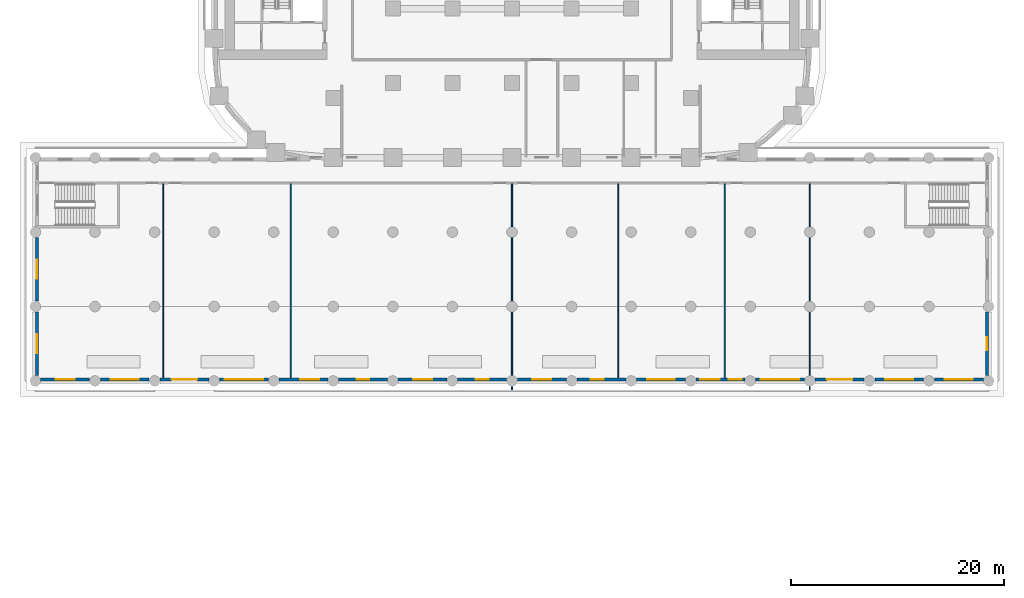
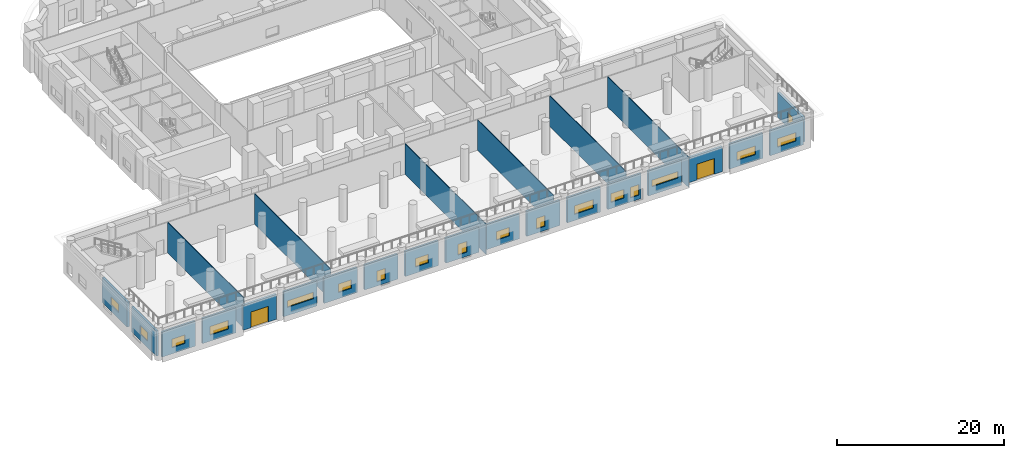
# One storey, part 6 of 23: 25 walls, 18 windows, 2 doors, 20 openings.
"""IFC4 building model written with IfcOpenShell, lengths in metres."""

from ifc_helpers import new_model, si_unit, direction, frame, frame_2d, origin, place, context, subcontext, project, spatial, rectangle, extrude, material, layer, layer_set, type_object, element, fill, save


model = new_model("IFC4")

# Units and contexts
model_context = context("Model", 3, precision=1e-05, world=origin(), true_north=direction((0.0, 1.0)))
body_context = subcontext(model_context, "Body", "Model", "MODEL_VIEW")
ifc_project = project(units=[si_unit("LENGTHUNIT", "METRE"), si_unit("AREAUNIT", "SQUARE_METRE"), si_unit("VOLUMEUNIT", "CUBIC_METRE"), si_unit("PLANEANGLEUNIT", "RADIAN"), si_unit("MASSUNIT", "GRAM", prefix="KILO")], contexts=[model_context])

# Site, building, storey
site_placement = place(None, origin())
site = spatial("IfcSite", under=ifc_project, at=site_placement, CompositionType="ELEMENT")
building_placement = place(site_placement, origin())
building = spatial("IfcBuilding", under=site, at=building_placement, Name="Kiln Ring Residences", CompositionType="ELEMENT")
storey_placement = place(building_placement, frame((0.0, 0.0, 16.10009765625)))
storey = spatial("IfcBuildingStorey", under=building, at=storey_placement, Name="L03", CompositionType="ELEMENT", Elevation=16.10009765625)

# Wall, opening, window
ifc_material_1 = material(Name="Brick masonry, dark clay brick", Category="masonry")
ifc_layer_1 = layer(ifc_material_1, 0.300048828125)
ifc_layer_set_1 = layer_set([ifc_layer_1], Name="EW-300 BRICK WALL")
wall_type_1 = type_object("IfcWallType", Name="EW-300 BRICK WALL", PredefinedType="SOLIDWALL", material=ifc_layer_set_1)
wall_1_placement = place(storey_placement, frame((44.64990234375, -42.89990234375, 0.0), z_axis=(0.0, 0.0, 1.0), x_axis=(0.0, 1.0, 0.0)))
wall_1 = element("IfcWall", 1, at=wall_1_placement, inside=storey, type_object=wall_type_1, Name="Facade wall L03 1", PredefinedType="SOLIDWALL", context=body_context, shape_type="SweptSolid", body=[
    extrude(rectangle(XDim=6.0, YDim=0.300048828125, at=frame_2d((3.0, 0.0))), origin(), (0.0, 0.0, 1.0), 3.64990234375),
])
opening_1_placement = place(wall_1_placement, frame((2.39990234375, 0.0, 0.60009765625)))
opening_1 = element("IfcOpeningElement", 2, at=opening_1_placement, cuts=wall_1, Name="Opening W1", PredefinedType="OPENING", context=body_context, shape_type="SweptSolid", body=[
    extrude(rectangle(XDim=1.199951171875, YDim=1.550048828125, at=frame_2d((0.60009765625, 0.77490234375))), frame((0.0, 0.159912109375, 0.0), z_axis=(0.0, -1.0, 0.0), x_axis=(1.0, 0.0, 0.0)), (0.0, 0.0, 1.0), 0.320068359375),
])
ifc_material_2 = material(Name="Aluminium frame with double glazing", Category="aluminium")
window_type_1 = type_object("IfcWindowType", Name="WINDOW 1200 x 1550", PartitioningType="SINGLE_PANEL", PredefinedType="WINDOW", material=ifc_material_2)
window_1_placement = place(opening_1_placement, origin())
window_1 = element("IfcWindow", 3, at=window_1_placement, inside=storey, type_object=window_type_1, Name="Window L03 1", OverallHeight=1.550048828125, OverallWidth=1.199951171875, PartitioningType="SINGLE_PANEL", PredefinedType="WINDOW", context=body_context, shape_type="SweptSolid", body=[
    extrude(rectangle(XDim=1.199951171875, YDim=1.550048828125, at=frame_2d((0.60009765625, 0.77490234375))), frame((0.0, 0.030029296875, 0.0), z_axis=(0.0, -1.0, 0.0), x_axis=(1.0, 0.0, 0.0)), (0.0, 0.0, 1.0), 0.06005859375),
])
fill(opening_1, window_1)

wall_2_placement = place(storey_placement, frame((-44.64990234375, -29.89990234375, 0.0), z_axis=(0.0, 0.0, 1.0), x_axis=(0.0, -1.0, 0.0)))
wall_2 = element("IfcWall", 4, at=wall_2_placement, inside=storey, type_object=wall_type_1, Name="Facade wall L03 55", PredefinedType="SOLIDWALL", context=body_context, shape_type="SweptSolid", body=[
    extrude(rectangle(XDim=6.0, YDim=0.300048828125, at=frame_2d((3.0, 0.0))), origin(), (0.0, 0.0, 1.0), 3.64990234375),
])
opening_2_placement = place(wall_2_placement, frame((2.10009765625, 0.0, 0.89990234375)))
opening_2 = element("IfcOpeningElement", 5, at=opening_2_placement, cuts=wall_2, Name="Opening W2", PredefinedType="OPENING", context=body_context, shape_type="SweptSolid", body=[
    extrude(rectangle(XDim=1.800048828125, YDim=1.25, at=frame_2d((0.89990234375, 0.625))), frame((0.0, 0.159912109375, 0.0), z_axis=(0.0, -1.0, 0.0), x_axis=(1.0, 0.0, 0.0)), (0.0, 0.0, 1.0), 0.320068359375),
])
ifc_material_3 = material(Name="Aluminium frame with double glazing", Category="aluminium")
window_type_2 = type_object("IfcWindowType", Name="WINDOW 1800 x 1250", PartitioningType="SINGLE_PANEL", PredefinedType="WINDOW", material=ifc_material_3)
window_2_placement = place(opening_2_placement, origin())
window_2 = element("IfcWindow", 6, at=window_2_placement, inside=storey, type_object=window_type_2, Name="Window L03 28", OverallHeight=1.25, OverallWidth=1.800048828125, PartitioningType="SINGLE_PANEL", PredefinedType="WINDOW", context=body_context, shape_type="SweptSolid", body=[
    extrude(rectangle(XDim=1.800048828125, YDim=1.25, at=frame_2d((0.89990234375, 0.625))), frame((0.0, 0.030029296875, 0.0), z_axis=(0.0, -1.0, 0.0), x_axis=(1.0, 0.0, 0.0)), (0.0, 0.0, 1.0), 0.06005859375),
])
fill(opening_2, window_2)

wall_3_placement = place(storey_placement, frame((-44.64990234375, -36.89990234375, 0.0), z_axis=(0.0, 0.0, 1.0), x_axis=(0.0, -1.0, 0.0)))
wall_3 = element("IfcWall", 7, at=wall_3_placement, inside=storey, type_object=wall_type_1, Name="Facade wall L03 56", PredefinedType="SOLIDWALL", context=body_context, shape_type="SweptSolid", body=[
    extrude(rectangle(XDim=6.0, YDim=0.300048828125, at=frame_2d((3.0, 0.0))), origin(), (0.0, 0.0, 1.0), 3.64990234375),
])
opening_3_placement = place(wall_3_placement, frame((2.10009765625, 0.0, 0.89990234375)))
opening_3 = element("IfcOpeningElement", 8, at=opening_3_placement, cuts=wall_3, Name="Opening W2", PredefinedType="OPENING", context=body_context, shape_type="SweptSolid", body=[
    extrude(rectangle(XDim=1.800048828125, YDim=1.25, at=frame_2d((0.89990234375, 0.625))), frame((0.0, 0.159912109375, 0.0), z_axis=(0.0, -1.0, 0.0), x_axis=(1.0, 0.0, 0.0)), (0.0, 0.0, 1.0), 0.320068359375),
])
window_3_placement = place(opening_3_placement, origin())
window_3 = element("IfcWindow", 9, at=window_3_placement, inside=storey, type_object=window_type_2, Name="Window L03 29", OverallHeight=1.25, OverallWidth=1.800048828125, PartitioningType="SINGLE_PANEL", PredefinedType="WINDOW", context=body_context, shape_type="SweptSolid", body=[
    extrude(rectangle(XDim=1.800048828125, YDim=1.25, at=frame_2d((0.89990234375, 0.625))), frame((0.0, 0.030029296875, 0.0), z_axis=(0.0, -1.0, 0.0), x_axis=(1.0, 0.0, 0.0)), (0.0, 0.0, 1.0), 0.06005859375),
])
fill(opening_3, window_3)

wall_4_placement = place(storey_placement, frame((-44.300048828125, -43.25, 0.0), z_axis=(0.0, 0.0, 1.0), x_axis=(1.0, 0.0, 0.0)))
wall_4 = element("IfcWall", 10, at=wall_4_placement, inside=storey, type_object=wall_type_1, Name="Facade wall L03 57", PredefinedType="SOLIDWALL", context=body_context, shape_type="SweptSolid", body=[
    extrude(rectangle(XDim=4.60009765625, YDim=0.300048828125, at=frame_2d((2.300048828125, 0.0))), origin(), (0.0, 0.0, 1.0), 3.64990234375),
])
opening_4_placement = place(wall_4_placement, frame((1.39990234375, 0.0, 0.89990234375)))
opening_4 = element("IfcOpeningElement", 11, at=opening_4_placement, cuts=wall_4, Name="Opening W2", PredefinedType="OPENING", context=body_context, shape_type="SweptSolid", body=[
    extrude(rectangle(XDim=1.800048828125, YDim=1.25, at=frame_2d((0.89990234375, 0.625))), frame((0.0, 0.159912109375, 0.0), z_axis=(0.0, -1.0, 0.0), x_axis=(1.0, 0.0, 0.0)), (0.0, 0.0, 1.0), 0.320068359375),
])
window_4_placement = place(opening_4_placement, origin())
window_4 = element("IfcWindow", 12, at=window_4_placement, inside=storey, type_object=window_type_2, Name="Window L03 30", OverallHeight=1.25, OverallWidth=1.800048828125, PartitioningType="SINGLE_PANEL", PredefinedType="WINDOW", context=body_context, shape_type="SweptSolid", body=[
    extrude(rectangle(XDim=1.800048828125, YDim=1.25, at=frame_2d((0.89990234375, 0.625))), frame((0.0, 0.030029296875, 0.0), z_axis=(0.0, -1.0, 0.0), x_axis=(1.0, 0.0, 0.0)), (0.0, 0.0, 1.0), 0.06005859375),
])
fill(opening_4, window_4)

wall_5_placement = place(storey_placement, frame((-38.699951171875, -43.25, 0.0), z_axis=(0.0, 0.0, 1.0), x_axis=(1.0, 0.0, 0.0)))
wall_5 = element("IfcWall", 13, at=wall_5_placement, inside=storey, type_object=wall_type_1, Name="Facade wall L03 58", PredefinedType="SOLIDWALL", context=body_context, shape_type="SweptSolid", body=[
    extrude(rectangle(XDim=4.599853515625, YDim=0.300048828125, at=frame_2d((2.2998046875, 0.0))), origin(), (0.0, 0.0, 1.0), 3.64990234375),
])
opening_5_placement = place(wall_5_placement, frame((1.0, 0.0, 0.89990234375)))
opening_5 = element("IfcOpeningElement", 14, at=opening_5_placement, cuts=wall_5, Name="Opening W3", PredefinedType="OPENING", context=body_context, shape_type="SweptSolid", body=[
    extrude(rectangle(XDim=2.60009765625, YDim=1.25, at=frame_2d((1.300048828125, 0.625))), frame((0.0, 0.159912109375, 0.0), z_axis=(0.0, -1.0, 0.0), x_axis=(1.0, 0.0, 0.0)), (0.0, 0.0, 1.0), 0.320068359375),
])
ifc_material_4 = material(Name="Aluminium frame with double glazing", Category="aluminium")
window_type_3 = type_object("IfcWindowType", Name="WINDOW 2600 x 1250", PartitioningType="SINGLE_PANEL", PredefinedType="WINDOW", material=ifc_material_4)
window_5_placement = place(opening_5_placement, origin())
window_5 = element("IfcWindow", 15, at=window_5_placement, inside=storey, type_object=window_type_3, Name="Window L03 31", OverallHeight=1.25, OverallWidth=2.60009765625, PartitioningType="SINGLE_PANEL", PredefinedType="WINDOW", context=body_context, shape_type="SweptSolid", body=[
    extrude(rectangle(XDim=2.60009765625, YDim=1.25, at=frame_2d((1.300048828125, 0.625))), frame((0.0, 0.030029296875, 0.0), z_axis=(0.0, -1.0, 0.0), x_axis=(1.0, 0.0, 0.0)), (0.0, 0.0, 1.0), 0.06005859375),
])
fill(opening_5, window_5)

# Wall, opening, door
wall_6_placement = place(storey_placement, frame((-33.10009765625, -43.25, 0.0), z_axis=(0.0, 0.0, 1.0), x_axis=(1.0, 0.0, 0.0)))
wall_6 = element("IfcWall", 16, at=wall_6_placement, inside=storey, type_object=wall_type_1, Name="Facade wall L03 59", PredefinedType="SOLIDWALL", context=body_context, shape_type="SweptSolid", body=[
    extrude(rectangle(XDim=4.60009765625, YDim=0.300048828125, at=frame_2d((2.300048828125, 0.0))), origin(), (0.0, 0.0, 1.0), 3.64990234375),
])
opening_6_placement = place(wall_6_placement, frame((1.10009765625, 0.0, 0.0)))
opening_6 = element("IfcOpeningElement", 17, at=opening_6_placement, cuts=wall_6, Name="Opening EL03-1", PredefinedType="OPENING", context=body_context, shape_type="SweptSolid", body=[
    extrude(rectangle(XDim=2.39990234375, YDim=2.300048828125, at=frame_2d((1.199951171875, 1.14990234375))), frame((0.0, 0.159912109375, 0.0), z_axis=(0.0, -1.0, 0.0), x_axis=(1.0, 0.0, 0.0)), (0.0, 0.0, 1.0), 0.320068359375),
])
ifc_material_5 = material(Name="Aluminium and glass", Category="aluminium")
door_type = type_object("IfcDoorType", Name="TERRACE DOOR 2400 x 2300", OperationType="DOUBLE_DOOR_SINGLE_SWING", PredefinedType="DOOR", material=ifc_material_5)
door_1_placement = place(opening_6_placement, origin())
door_1 = element("IfcDoor", 18, at=door_1_placement, inside=storey, type_object=door_type, Name="Terrace door EL03-1", OperationType="SINGLE_SWING_LEFT", OverallHeight=2.300048828125, OverallWidth=2.39990234375, PredefinedType="DOOR", context=body_context, shape_type="SweptSolid", body=[
    extrude(rectangle(XDim=2.39990234375, YDim=2.300048828125, at=frame_2d((1.199951171875, 1.14990234375))), frame((0.0, 0.02490234375, 0.0), z_axis=(0.0, -1.0, 0.0), x_axis=(1.0, 0.0, 0.0)), (0.0, 0.0, 1.0), 0.050048828125),
])
fill(opening_6, door_1)

# Wall, opening, window
wall_7_placement = place(storey_placement, frame((-27.5, -43.25, 0.0), z_axis=(0.0, 0.0, 1.0), x_axis=(1.0, 0.0, 0.0)))
wall_7 = element("IfcWall", 19, at=wall_7_placement, inside=storey, type_object=wall_type_1, Name="Facade wall L03 60", PredefinedType="SOLIDWALL", context=body_context, shape_type="SweptSolid", body=[
    extrude(rectangle(XDim=4.60009765625, YDim=0.300048828125, at=frame_2d((2.300048828125, 0.0))), origin(), (0.0, 0.0, 1.0), 3.64990234375),
])
opening_7_placement = place(wall_7_placement, frame((0.5, 0.0, 1.199951171875)))
opening_7 = element("IfcOpeningElement", 20, at=opening_7_placement, cuts=wall_7, Name="Opening W4", PredefinedType="OPENING", context=body_context, shape_type="SweptSolid", body=[
    extrude(rectangle(XDim=3.60009765625, YDim=0.949951171875, at=frame_2d((1.800048828125, 0.47509765625))), frame((0.0, 0.159912109375, 0.0), z_axis=(0.0, -1.0, 0.0), x_axis=(1.0, 0.0, 0.0)), (0.0, 0.0, 1.0), 0.320068359375),
])
ifc_material_6 = material(Name="Aluminium frame with double glazing", Category="aluminium")
window_type_4 = type_object("IfcWindowType", Name="WINDOW 3600 x 950", PartitioningType="SINGLE_PANEL", PredefinedType="WINDOW", material=ifc_material_6)
window_6_placement = place(opening_7_placement, origin())
window_6 = element("IfcWindow", 21, at=window_6_placement, inside=storey, type_object=window_type_4, Name="Window L03 32", OverallHeight=0.949951171875, OverallWidth=3.60009765625, PartitioningType="SINGLE_PANEL", PredefinedType="WINDOW", context=body_context, shape_type="SweptSolid", body=[
    extrude(rectangle(XDim=3.60009765625, YDim=0.949951171875, at=frame_2d((1.800048828125, 0.47509765625))), frame((0.0, 0.030029296875, 0.0), z_axis=(0.0, -1.0, 0.0), x_axis=(1.0, 0.0, 0.0)), (0.0, 0.0, 1.0), 0.06005859375),
])
fill(opening_7, window_6)

wall_8_placement = place(storey_placement, frame((-21.89990234375, -43.25, 0.0), z_axis=(0.0, 0.0, 1.0), x_axis=(1.0, 0.0, 0.0)))
wall_8 = element("IfcWall", 22, at=wall_8_placement, inside=storey, type_object=wall_type_1, Name="Facade wall L03 61", PredefinedType="SOLIDWALL", context=body_context, shape_type="SweptSolid", body=[
    extrude(rectangle(XDim=4.599853515625, YDim=0.300048828125, at=frame_2d((2.2998046875, 0.0))), origin(), (0.0, 0.0, 1.0), 3.64990234375),
])
opening_8_placement = place(wall_8_placement, frame((1.987548828125, 0.0, 0.89990234375)))
opening_8 = element("IfcOpeningElement", 23, at=opening_8_placement, cuts=wall_8, Name="Opening W2", PredefinedType="OPENING", context=body_context, shape_type="SweptSolid", body=[
    extrude(rectangle(XDim=1.800048828125, YDim=1.25, at=frame_2d((0.89990234375, 0.625))), frame((0.0, 0.159912109375, 0.0), z_axis=(0.0, -1.0, 0.0), x_axis=(1.0, 0.0, 0.0)), (0.0, 0.0, 1.0), 0.320068359375),
])
window_7_placement = place(opening_8_placement, origin())
window_7 = element("IfcWindow", 24, at=window_7_placement, inside=storey, type_object=window_type_2, Name="Window L03 33", OverallHeight=1.25, OverallWidth=1.800048828125, PartitioningType="SINGLE_PANEL", PredefinedType="WINDOW", context=body_context, shape_type="SweptSolid", body=[
    extrude(rectangle(XDim=1.800048828125, YDim=1.25, at=frame_2d((0.89990234375, 0.625))), frame((0.0, 0.030029296875, 0.0), z_axis=(0.0, -1.0, 0.0), x_axis=(1.0, 0.0, 0.0)), (0.0, 0.0, 1.0), 0.06005859375),
])
fill(opening_8, window_7)

wall_9_placement = place(storey_placement, frame((-16.300048828125, -43.25, 0.0), z_axis=(0.0, 0.0, 1.0), x_axis=(1.0, 0.0, 0.0)))
wall_9 = element("IfcWall", 25, at=wall_9_placement, inside=storey, type_object=wall_type_1, Name="Facade wall L03 62", PredefinedType="SOLIDWALL", context=body_context, shape_type="SweptSolid", body=[
    extrude(rectangle(XDim=4.60009765625, YDim=0.300048828125, at=frame_2d((2.300048828125, 0.0))), origin(), (0.0, 0.0, 1.0), 3.64990234375),
])
opening_9_placement = place(wall_9_placement, frame((1.699951171875, 0.0, 0.60009765625)))
opening_9 = element("IfcOpeningElement", 26, at=opening_9_placement, cuts=wall_9, Name="Opening W1", PredefinedType="OPENING", context=body_context, shape_type="SweptSolid", body=[
    extrude(rectangle(XDim=1.199951171875, YDim=1.550048828125, at=frame_2d((0.60009765625, 0.77490234375))), frame((0.0, 0.159912109375, 0.0), z_axis=(0.0, -1.0, 0.0), x_axis=(1.0, 0.0, 0.0)), (0.0, 0.0, 1.0), 0.320068359375),
])
window_8_placement = place(opening_9_placement, origin())
window_8 = element("IfcWindow", 27, at=window_8_placement, inside=storey, type_object=window_type_1, Name="Window L03 34", OverallHeight=1.550048828125, OverallWidth=1.199951171875, PartitioningType="SINGLE_PANEL", PredefinedType="WINDOW", context=body_context, shape_type="SweptSolid", body=[
    extrude(rectangle(XDim=1.199951171875, YDim=1.550048828125, at=frame_2d((0.60009765625, 0.77490234375))), frame((0.0, 0.030029296875, 0.0), z_axis=(0.0, -1.0, 0.0), x_axis=(1.0, 0.0, 0.0)), (0.0, 0.0, 1.0), 0.06005859375),
])
fill(opening_9, window_8)

wall_10_placement = place(storey_placement, frame((-10.699951171875, -43.25, 0.0), z_axis=(0.0, 0.0, 1.0), x_axis=(1.0, 0.0, 0.0)))
wall_10 = element("IfcWall", 28, at=wall_10_placement, inside=storey, type_object=wall_type_1, Name="Facade wall L03 63", PredefinedType="SOLIDWALL", context=body_context, shape_type="SweptSolid", body=[
    extrude(rectangle(XDim=4.599853515625, YDim=0.300048828125, at=frame_2d((2.2998046875, 0.0))), origin(), (0.0, 0.0, 1.0), 3.64990234375),
])
opening_10_placement = place(wall_10_placement, frame((1.39990234375, 0.0, 0.89990234375)))
opening_10 = element("IfcOpeningElement", 29, at=opening_10_placement, cuts=wall_10, Name="Opening W2", PredefinedType="OPENING", context=body_context, shape_type="SweptSolid", body=[
    extrude(rectangle(XDim=1.800048828125, YDim=1.25, at=frame_2d((0.89990234375, 0.625))), frame((0.0, 0.159912109375, 0.0), z_axis=(0.0, -1.0, 0.0), x_axis=(1.0, 0.0, 0.0)), (0.0, 0.0, 1.0), 0.320068359375),
])
window_9_placement = place(opening_10_placement, origin())
window_9 = element("IfcWindow", 30, at=window_9_placement, inside=storey, type_object=window_type_2, Name="Window L03 35", OverallHeight=1.25, OverallWidth=1.800048828125, PartitioningType="SINGLE_PANEL", PredefinedType="WINDOW", context=body_context, shape_type="SweptSolid", body=[
    extrude(rectangle(XDim=1.800048828125, YDim=1.25, at=frame_2d((0.89990234375, 0.625))), frame((0.0, 0.030029296875, 0.0), z_axis=(0.0, -1.0, 0.0), x_axis=(1.0, 0.0, 0.0)), (0.0, 0.0, 1.0), 0.06005859375),
])
fill(opening_10, window_9)

wall_11_placement = place(storey_placement, frame((-5.10009765625, -43.25, 0.0), z_axis=(0.0, 0.0, 1.0), x_axis=(1.0, 0.0, 0.0)))
wall_11 = element("IfcWall", 31, at=wall_11_placement, inside=storey, type_object=wall_type_1, Name="Facade wall L03 64", PredefinedType="SOLIDWALL", context=body_context, shape_type="SweptSolid", body=[
    extrude(rectangle(XDim=4.60009765625, YDim=0.300048828125, at=frame_2d((2.300048828125, 0.0))), origin(), (0.0, 0.0, 1.0), 3.64990234375),
])
opening_11_placement = place(wall_11_placement, frame((1.699951171875, 0.0, 0.60009765625)))
opening_11 = element("IfcOpeningElement", 32, at=opening_11_placement, cuts=wall_11, Name="Opening W1", PredefinedType="OPENING", context=body_context, shape_type="SweptSolid", body=[
    extrude(rectangle(XDim=1.199951171875, YDim=1.550048828125, at=frame_2d((0.60009765625, 0.77490234375))), frame((0.0, 0.159912109375, 0.0), z_axis=(0.0, -1.0, 0.0), x_axis=(1.0, 0.0, 0.0)), (0.0, 0.0, 1.0), 0.320068359375),
])
window_10_placement = place(opening_11_placement, origin())
window_10 = element("IfcWindow", 33, at=window_10_placement, inside=storey, type_object=window_type_1, Name="Window L03 36", OverallHeight=1.550048828125, OverallWidth=1.199951171875, PartitioningType="SINGLE_PANEL", PredefinedType="WINDOW", context=body_context, shape_type="SweptSolid", body=[
    extrude(rectangle(XDim=1.199951171875, YDim=1.550048828125, at=frame_2d((0.60009765625, 0.77490234375))), frame((0.0, 0.030029296875, 0.0), z_axis=(0.0, -1.0, 0.0), x_axis=(1.0, 0.0, 0.0)), (0.0, 0.0, 1.0), 0.06005859375),
])
fill(opening_11, window_10)

wall_12_placement = place(storey_placement, frame((0.5, -43.25, 0.0), z_axis=(0.0, 0.0, 1.0), x_axis=(1.0, 0.0, 0.0)))
wall_12 = element("IfcWall", 34, at=wall_12_placement, inside=storey, type_object=wall_type_1, Name="Facade wall L03 65", PredefinedType="SOLIDWALL", context=body_context, shape_type="SweptSolid", body=[
    extrude(rectangle(XDim=4.60009765625, YDim=0.300048828125, at=frame_2d((2.300048828125, 0.0))), origin(), (0.0, 0.0, 1.0), 3.64990234375),
])
opening_12_placement = place(wall_12_placement, frame((1.39990234375, 0.0, 0.89990234375)))
opening_12 = element("IfcOpeningElement", 35, at=opening_12_placement, cuts=wall_12, Name="Opening W2", PredefinedType="OPENING", context=body_context, shape_type="SweptSolid", body=[
    extrude(rectangle(XDim=1.800048828125, YDim=1.25, at=frame_2d((0.89990234375, 0.625))), frame((0.0, 0.159912109375, 0.0), z_axis=(0.0, -1.0, 0.0), x_axis=(1.0, 0.0, 0.0)), (0.0, 0.0, 1.0), 0.320068359375),
])
window_11_placement = place(opening_12_placement, origin())
window_11 = element("IfcWindow", 36, at=window_11_placement, inside=storey, type_object=window_type_2, Name="Window L03 37", OverallHeight=1.25, OverallWidth=1.800048828125, PartitioningType="SINGLE_PANEL", PredefinedType="WINDOW", context=body_context, shape_type="SweptSolid", body=[
    extrude(rectangle(XDim=1.800048828125, YDim=1.25, at=frame_2d((0.89990234375, 0.625))), frame((0.0, 0.030029296875, 0.0), z_axis=(0.0, -1.0, 0.0), x_axis=(1.0, 0.0, 0.0)), (0.0, 0.0, 1.0), 0.06005859375),
])
fill(opening_12, window_11)

wall_13_placement = place(storey_placement, frame((6.10009765625, -43.25, 0.0), z_axis=(0.0, 0.0, 1.0), x_axis=(1.0, 0.0, 0.0)))
wall_13 = element("IfcWall", 37, at=wall_13_placement, inside=storey, type_object=wall_type_1, Name="Facade wall L03 66", PredefinedType="SOLIDWALL", context=body_context, shape_type="SweptSolid", body=[
    extrude(rectangle(XDim=4.599853515625, YDim=0.300048828125, at=frame_2d((2.2998046875, 0.0))), origin(), (0.0, 0.0, 1.0), 3.64990234375),
])
opening_13_placement = place(wall_13_placement, frame((1.3125, 0.0, 0.60009765625)))
opening_13 = element("IfcOpeningElement", 38, at=opening_13_placement, cuts=wall_13, Name="Opening W1", PredefinedType="OPENING", context=body_context, shape_type="SweptSolid", body=[
    extrude(rectangle(XDim=1.199951171875, YDim=1.550048828125, at=frame_2d((0.60009765625, 0.77490234375))), frame((0.0, 0.159912109375, 0.0), z_axis=(0.0, -1.0, 0.0), x_axis=(1.0, 0.0, 0.0)), (0.0, 0.0, 1.0), 0.320068359375),
])
window_12_placement = place(opening_13_placement, origin())
window_12 = element("IfcWindow", 39, at=window_12_placement, inside=storey, type_object=window_type_1, Name="Window L03 38", OverallHeight=1.550048828125, OverallWidth=1.199951171875, PartitioningType="SINGLE_PANEL", PredefinedType="WINDOW", context=body_context, shape_type="SweptSolid", body=[
    extrude(rectangle(XDim=1.199951171875, YDim=1.550048828125, at=frame_2d((0.60009765625, 0.77490234375))), frame((0.0, 0.030029296875, 0.0), z_axis=(0.0, -1.0, 0.0), x_axis=(1.0, 0.0, 0.0)), (0.0, 0.0, 1.0), 0.06005859375),
])
fill(opening_13, window_12)

wall_14_placement = place(storey_placement, frame((11.699951171875, -43.25, 0.0), z_axis=(0.0, 0.0, 1.0), x_axis=(1.0, 0.0, 0.0)))
wall_14 = element("IfcWall", 40, at=wall_14_placement, inside=storey, type_object=wall_type_1, Name="Facade wall L03 67", PredefinedType="SOLIDWALL", context=body_context, shape_type="SweptSolid", body=[
    extrude(rectangle(XDim=4.60009765625, YDim=0.300048828125, at=frame_2d((2.300048828125, 0.0))), origin(), (0.0, 0.0, 1.0), 3.64990234375),
])
opening_14_placement = place(wall_14_placement, frame((1.0, 0.0, 0.89990234375)))
opening_14 = element("IfcOpeningElement", 41, at=opening_14_placement, cuts=wall_14, Name="Opening W3", PredefinedType="OPENING", context=body_context, shape_type="SweptSolid", body=[
    extrude(rectangle(XDim=2.60009765625, YDim=1.25, at=frame_2d((1.300048828125, 0.625))), frame((0.0, 0.159912109375, 0.0), z_axis=(0.0, -1.0, 0.0), x_axis=(1.0, 0.0, 0.0)), (0.0, 0.0, 1.0), 0.320068359375),
])
window_13_placement = place(opening_14_placement, origin())
window_13 = element("IfcWindow", 42, at=window_13_placement, inside=storey, type_object=window_type_3, Name="Window L03 39", OverallHeight=1.25, OverallWidth=2.60009765625, PartitioningType="SINGLE_PANEL", PredefinedType="WINDOW", context=body_context, shape_type="SweptSolid", body=[
    extrude(rectangle(XDim=2.60009765625, YDim=1.25, at=frame_2d((1.300048828125, 0.625))), frame((0.0, 0.030029296875, 0.0), z_axis=(0.0, -1.0, 0.0), x_axis=(1.0, 0.0, 0.0)), (0.0, 0.0, 1.0), 0.06005859375),
])
fill(opening_14, window_13)

# Wall, openings, windows
wall_15_placement = place(storey_placement, frame((17.300048828125, -43.25, 0.0), z_axis=(0.0, 0.0, 1.0), x_axis=(1.0, 0.0, 0.0)))
wall_15 = element("IfcWall", 43, at=wall_15_placement, inside=storey, type_object=wall_type_1, Name="Facade wall L03 68", PredefinedType="SOLIDWALL", context=body_context, shape_type="SweptSolid", body=[
    extrude(rectangle(XDim=4.599853515625, YDim=0.300048828125, at=frame_2d((2.2998046875, 0.0))), origin(), (0.0, 0.0, 1.0), 3.64990234375),
])
opening_15_placement = place(wall_15_placement, frame((0.409912109375, 0.0, 0.89990234375)))
opening_15 = element("IfcOpeningElement", 44, at=opening_15_placement, cuts=wall_15, Name="Opening W2", PredefinedType="OPENING", context=body_context, shape_type="SweptSolid", body=[
    extrude(rectangle(XDim=1.800048828125, YDim=1.25, at=frame_2d((0.89990234375, 0.625))), frame((0.0, 0.159912109375, 0.0), z_axis=(0.0, -1.0, 0.0), x_axis=(1.0, 0.0, 0.0)), (0.0, 0.0, 1.0), 0.320068359375),
])
opening_16_placement = place(wall_15_placement, frame((3.0849609375, 0.0, 0.60009765625)))
opening_16 = element("IfcOpeningElement", 45, at=opening_16_placement, cuts=wall_15, Name="Opening W1", PredefinedType="OPENING", context=body_context, shape_type="SweptSolid", body=[
    extrude(rectangle(XDim=1.199951171875, YDim=1.550048828125, at=frame_2d((0.60009765625, 0.77490234375))), frame((0.0, 0.159912109375, 0.0), z_axis=(0.0, -1.0, 0.0), x_axis=(1.0, 0.0, 0.0)), (0.0, 0.0, 1.0), 0.320068359375),
])
window_14_placement = place(opening_16_placement, origin())
window_14 = element("IfcWindow", 46, at=window_14_placement, inside=storey, type_object=window_type_1, Name="Window L03 41", OverallHeight=1.550048828125, OverallWidth=1.199951171875, PartitioningType="SINGLE_PANEL", PredefinedType="WINDOW", context=body_context, shape_type="SweptSolid", body=[
    extrude(rectangle(XDim=1.199951171875, YDim=1.550048828125, at=frame_2d((0.60009765625, 0.77490234375))), frame((0.0, 0.030029296875, 0.0), z_axis=(0.0, -1.0, 0.0), x_axis=(1.0, 0.0, 0.0)), (0.0, 0.0, 1.0), 0.06005859375),
])
fill(opening_16, window_14)
window_15_placement = place(opening_15_placement, origin())
window_15 = element("IfcWindow", 47, at=window_15_placement, inside=storey, type_object=window_type_2, Name="Window L03 40", OverallHeight=1.25, OverallWidth=1.800048828125, PartitioningType="SINGLE_PANEL", PredefinedType="WINDOW", context=body_context, shape_type="SweptSolid", body=[
    extrude(rectangle(XDim=1.800048828125, YDim=1.25, at=frame_2d((0.89990234375, 0.625))), frame((0.0, 0.030029296875, 0.0), z_axis=(0.0, -1.0, 0.0), x_axis=(1.0, 0.0, 0.0)), (0.0, 0.0, 1.0), 0.06005859375),
])
fill(opening_15, window_15)

# Wall, opening, window
wall_16_placement = place(storey_placement, frame((22.89990234375, -43.25, 0.0), z_axis=(0.0, 0.0, 1.0), x_axis=(1.0, 0.0, 0.0)))
wall_16 = element("IfcWall", 48, at=wall_16_placement, inside=storey, type_object=wall_type_1, Name="Facade wall L03 69", PredefinedType="SOLIDWALL", context=body_context, shape_type="SweptSolid", body=[
    extrude(rectangle(XDim=4.60009765625, YDim=0.300048828125, at=frame_2d((2.300048828125, 0.0))), origin(), (0.0, 0.0, 1.0), 3.64990234375),
])
opening_17_placement = place(wall_16_placement, frame((0.5, 0.0, 1.199951171875)))
opening_17 = element("IfcOpeningElement", 49, at=opening_17_placement, cuts=wall_16, Name="Opening W4", PredefinedType="OPENING", context=body_context, shape_type="SweptSolid", body=[
    extrude(rectangle(XDim=3.60009765625, YDim=0.949951171875, at=frame_2d((1.800048828125, 0.47509765625))), frame((0.0, 0.159912109375, 0.0), z_axis=(0.0, -1.0, 0.0), x_axis=(1.0, 0.0, 0.0)), (0.0, 0.0, 1.0), 0.320068359375),
])
window_16_placement = place(opening_17_placement, origin())
window_16 = element("IfcWindow", 50, at=window_16_placement, inside=storey, type_object=window_type_4, Name="Window L03 42", OverallHeight=0.949951171875, OverallWidth=3.60009765625, PartitioningType="SINGLE_PANEL", PredefinedType="WINDOW", context=body_context, shape_type="SweptSolid", body=[
    extrude(rectangle(XDim=3.60009765625, YDim=0.949951171875, at=frame_2d((1.800048828125, 0.47509765625))), frame((0.0, 0.030029296875, 0.0), z_axis=(0.0, -1.0, 0.0), x_axis=(1.0, 0.0, 0.0)), (0.0, 0.0, 1.0), 0.06005859375),
])
fill(opening_17, window_16)

# Wall, opening, door
wall_17_placement = place(storey_placement, frame((28.5, -43.25, 0.0), z_axis=(0.0, 0.0, 1.0), x_axis=(1.0, 0.0, 0.0)))
wall_17 = element("IfcWall", 51, at=wall_17_placement, inside=storey, type_object=wall_type_1, Name="Facade wall L03 70", PredefinedType="SOLIDWALL", context=body_context, shape_type="SweptSolid", body=[
    extrude(rectangle(XDim=4.60009765625, YDim=0.300048828125, at=frame_2d((2.300048828125, 0.0))), origin(), (0.0, 0.0, 1.0), 3.64990234375),
])
opening_18_placement = place(wall_17_placement, frame((1.10009765625, 0.0, 0.0)))
opening_18 = element("IfcOpeningElement", 52, at=opening_18_placement, cuts=wall_17, Name="Opening EL03-2", PredefinedType="OPENING", context=body_context, shape_type="SweptSolid", body=[
    extrude(rectangle(XDim=2.39990234375, YDim=2.300048828125, at=frame_2d((1.199951171875, 1.14990234375))), frame((0.0, 0.159912109375, 0.0), z_axis=(0.0, -1.0, 0.0), x_axis=(1.0, 0.0, 0.0)), (0.0, 0.0, 1.0), 0.320068359375),
])
door_2_placement = place(opening_18_placement, origin())
door_2 = element("IfcDoor", 53, at=door_2_placement, inside=storey, type_object=door_type, Name="Terrace door EL03-2", OperationType="SINGLE_SWING_LEFT", OverallHeight=2.300048828125, OverallWidth=2.39990234375, PredefinedType="DOOR", context=body_context, shape_type="SweptSolid", body=[
    extrude(rectangle(XDim=2.39990234375, YDim=2.300048828125, at=frame_2d((1.199951171875, 1.14990234375))), frame((0.0, 0.02490234375, 0.0), z_axis=(0.0, -1.0, 0.0), x_axis=(1.0, 0.0, 0.0)), (0.0, 0.0, 1.0), 0.050048828125),
])
fill(opening_18, door_2)

# Wall, opening, window
wall_18_placement = place(storey_placement, frame((34.10009765625, -43.25, 0.0), z_axis=(0.0, 0.0, 1.0), x_axis=(1.0, 0.0, 0.0)))
wall_18 = element("IfcWall", 54, at=wall_18_placement, inside=storey, type_object=wall_type_1, Name="Facade wall L03 71", PredefinedType="SOLIDWALL", context=body_context, shape_type="SweptSolid", body=[
    extrude(rectangle(XDim=4.599853515625, YDim=0.300048828125, at=frame_2d((2.2998046875, 0.0))), origin(), (0.0, 0.0, 1.0), 3.64990234375),
])
opening_19_placement = place(wall_18_placement, frame((1.0, 0.0, 0.89990234375)))
opening_19 = element("IfcOpeningElement", 55, at=opening_19_placement, cuts=wall_18, Name="Opening W3", PredefinedType="OPENING", context=body_context, shape_type="SweptSolid", body=[
    extrude(rectangle(XDim=2.60009765625, YDim=1.25, at=frame_2d((1.300048828125, 0.625))), frame((0.0, 0.159912109375, 0.0), z_axis=(0.0, -1.0, 0.0), x_axis=(1.0, 0.0, 0.0)), (0.0, 0.0, 1.0), 0.320068359375),
])
window_17_placement = place(opening_19_placement, origin())
window_17 = element("IfcWindow", 56, at=window_17_placement, inside=storey, type_object=window_type_3, Name="Window L03 43", OverallHeight=1.25, OverallWidth=2.60009765625, PartitioningType="SINGLE_PANEL", PredefinedType="WINDOW", context=body_context, shape_type="SweptSolid", body=[
    extrude(rectangle(XDim=2.60009765625, YDim=1.25, at=frame_2d((1.300048828125, 0.625))), frame((0.0, 0.030029296875, 0.0), z_axis=(0.0, -1.0, 0.0), x_axis=(1.0, 0.0, 0.0)), (0.0, 0.0, 1.0), 0.06005859375),
])
fill(opening_19, window_17)

wall_19_placement = place(storey_placement, frame((39.699951171875, -43.25, 0.0), z_axis=(0.0, 0.0, 1.0), x_axis=(1.0, 0.0, 0.0)))
wall_19 = element("IfcWall", 57, at=wall_19_placement, inside=storey, type_object=wall_type_1, Name="Facade wall L03 72", PredefinedType="SOLIDWALL", context=body_context, shape_type="SweptSolid", body=[
    extrude(rectangle(XDim=4.60009765625, YDim=0.300048828125, at=frame_2d((2.300048828125, 0.0))), origin(), (0.0, 0.0, 1.0), 3.64990234375),
])
opening_20_placement = place(wall_19_placement, frame((1.0, 0.0, 0.89990234375)))
opening_20 = element("IfcOpeningElement", 58, at=opening_20_placement, cuts=wall_19, Name="Opening W3", PredefinedType="OPENING", context=body_context, shape_type="SweptSolid", body=[
    extrude(rectangle(XDim=2.60009765625, YDim=1.25, at=frame_2d((1.300048828125, 0.625))), frame((0.0, 0.159912109375, 0.0), z_axis=(0.0, -1.0, 0.0), x_axis=(1.0, 0.0, 0.0)), (0.0, 0.0, 1.0), 0.320068359375),
])
window_18_placement = place(opening_20_placement, origin())
window_18 = element("IfcWindow", 59, at=window_18_placement, inside=storey, type_object=window_type_3, Name="Window L03 44", OverallHeight=1.25, OverallWidth=2.60009765625, PartitioningType="SINGLE_PANEL", PredefinedType="WINDOW", context=body_context, shape_type="SweptSolid", body=[
    extrude(rectangle(XDim=2.60009765625, YDim=1.25, at=frame_2d((1.300048828125, 0.625))), frame((0.0, 0.030029296875, 0.0), z_axis=(0.0, -1.0, 0.0), x_axis=(1.0, 0.0, 0.0)), (0.0, 0.0, 1.0), 0.06005859375),
])
fill(opening_20, window_18)

# Walls
ifc_material_7 = material(Name="Gypsum board on steel studs", Category="steel")
ifc_layer_2 = layer(ifc_material_7, 0.10009765625)
ifc_layer_set_2 = layer_set([ifc_layer_2], Name="PARTITION-100")
wall_type_2 = type_object("IfcWallType", Name="PARTITION-100", PredefinedType="PARTITIONING", material=ifc_layer_set_2)
for number, where, z_axis, x_axis, name in (
    (60, (-32.800048828125, -43.080078125, 0.0), (0.0, 0.0, 1.0), (0.0, 1.0, 0.0), "Partition 010"),
    (61, (-20.800048828125, -43.080078125, 0.0), (0.0, 0.0, 1.0), (0.0, 1.0, 0.0), "Partition 011"),
):
    element("IfcWall", number, at=place(storey_placement, frame(where, z_axis=z_axis, x_axis=x_axis)), inside=storey, type_object=wall_type_2, Name=name, PredefinedType="PARTITIONING", context=body_context, shape_type="SweptSolid", body=[
        extrude(rectangle(XDim=18.205078125, YDim=0.10009765625, at=frame_2d((9.1025390625, 0.0))), origin(), (0.0, 0.0, 1.0), 4.449951171875),
    ])
wall_20_placement = place(storey_placement, frame((0.0, -44.22998046875, 0.0), z_axis=(0.0, 0.0, 1.0), x_axis=(0.0, 1.0, 0.0)))
element("IfcWall", 62, at=wall_20_placement, inside=storey, type_object=wall_type_2, Name="Partition 017", PredefinedType="PARTITIONING", context=body_context, shape_type="SweptSolid", body=[
    extrude(rectangle(XDim=19.35498046875, YDim=0.10009765625, at=frame_2d((9.677490234375, 0.0))), origin(), (0.0, 0.0, 1.0), 4.449951171875),
])
for number, where, z_axis, x_axis, name in (
    (63, (10.0, -43.080078125, 0.0), (0.0, 0.0, 1.0), (0.0, 1.0, 0.0), "Partition 021"),
    (64, (20.0, -43.080078125, 0.0), (0.0, 0.0, 1.0), (0.0, 1.0, 0.0), "Partition 028"),
):
    element("IfcWall", number, at=place(storey_placement, frame(where, z_axis=z_axis, x_axis=x_axis)), inside=storey, type_object=wall_type_2, Name=name, PredefinedType="PARTITIONING", context=body_context, shape_type="SweptSolid", body=[
        extrude(rectangle(XDim=18.205078125, YDim=0.10009765625, at=frame_2d((9.1025390625, 0.0))), origin(), (0.0, 0.0, 1.0), 4.449951171875),
    ])
wall_21_placement = place(storey_placement, frame((28.0, -44.22998046875, 0.0), z_axis=(0.0, 0.0, 1.0), x_axis=(0.0, 1.0, 0.0)))
element("IfcWall", 65, at=wall_21_placement, inside=storey, type_object=wall_type_2, Name="Partition 029", PredefinedType="PARTITIONING", context=body_context, shape_type="SweptSolid", body=[
    extrude(rectangle(XDim=19.35498046875, YDim=0.10009765625, at=frame_2d((9.677490234375, 0.0))), origin(), (0.0, 0.0, 1.0), 4.449951171875),
])

save(model, "model.ifc")
